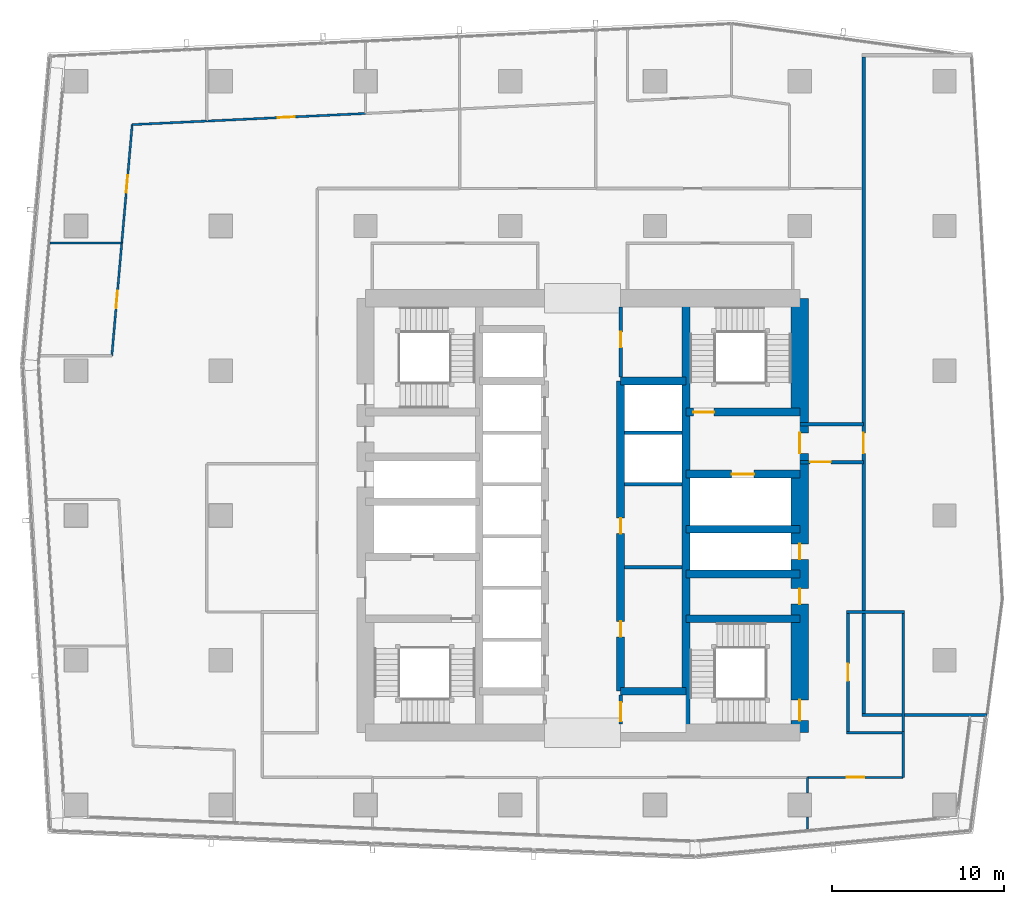
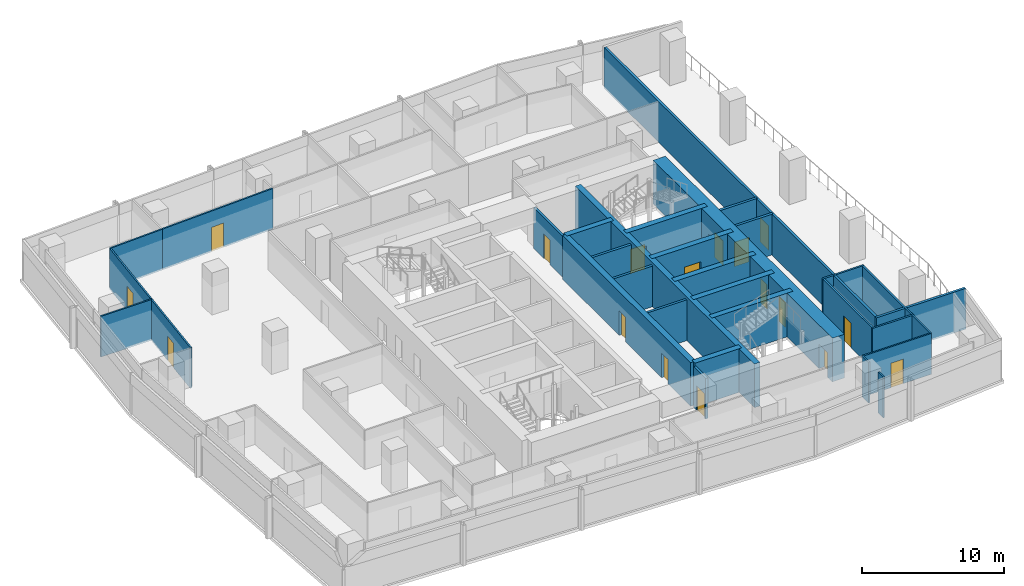
# One storey, part 24 of 33: 32 walls, 17 doors, 17 openings.
"""IFC4 building model written with IfcOpenShell, lengths in metres."""

from ifc_helpers import new_model, si_unit, direction, frame, frame_2d, origin, place, context, subcontext, project, spatial, rectangle, extrude, material, layer, layer_set, type_object, element, fill, save


model = new_model("IFC4")

# Units and contexts
model_context = context("Model", 3, precision=1e-05, world=origin(), true_north=direction((0.0, 1.0)))
body_context = subcontext(model_context, "Body", "Model", "MODEL_VIEW")
ifc_project = project(units=[si_unit("LENGTHUNIT", "METRE"), si_unit("AREAUNIT", "SQUARE_METRE"), si_unit("VOLUMEUNIT", "CUBIC_METRE"), si_unit("PLANEANGLEUNIT", "RADIAN"), si_unit("MASSUNIT", "GRAM", prefix="KILO")], contexts=[model_context])

# Site, building, storey
site_placement = place(None, origin())
site = spatial("IfcSite", under=ifc_project, at=site_placement, CompositionType="ELEMENT")
building_placement = place(site_placement, origin())
building = spatial("IfcBuilding", under=site, at=building_placement, Name="Rekha Terrace Tower", CompositionType="ELEMENT")
storey_placement = place(building_placement, frame((0.0, 0.0, 206.449951171875)))
storey = spatial("IfcBuildingStorey", under=building, at=storey_placement, Name="L52", CompositionType="ELEMENT", Elevation=206.449951171875)

# Wall
ifc_material_1 = material(Name="Concrete M60", Category="concrete")
ifc_layer_1 = layer(ifc_material_1, 0.449951171875)
ifc_layer_set_1 = layer_set([ifc_layer_1], Name="Concrete M60")
wall_type_1 = type_object("IfcWallType", Name="CI3 450 core internal shear wall", PredefinedType="SHEAR", material=ifc_layer_set_1)
wall_1_placement = place(storey_placement, frame((43.800048828125, 21.0, 0.0), z_axis=(0.0, 0.0, 1.0), x_axis=(0.0, 1.0, 0.0)))
element("IfcWall", 1, at=wall_1_placement, inside=storey, type_object=wall_type_1, Name="Core wall X438 L52", PredefinedType="SHEAR", context=body_context, shape_type="SweptSolid", body=[
    extrude(rectangle(XDim=25.199951171875, YDim=0.449951171875, at=frame_2d((12.60009765625, 0.0))), origin(), (0.0, 0.0, 1.0), 3.75),
])

# Wall, openings, doors
wall_2_placement = place(storey_placement, frame((40.0, 23.39990234375, 0.0), z_axis=(0.0, 0.0, 1.0), x_axis=(0.0, 1.0, 0.0)))
wall_2 = element("IfcWall", 2, at=wall_2_placement, inside=storey, type_object=wall_type_1, Name="Core wall X400 L52", PredefinedType="SHEAR", context=body_context, shape_type="SweptSolid", body=[
    extrude(rectangle(XDim=18.0, YDim=0.449951171875, at=frame_2d((9.0, 0.0))), origin(), (0.0, 0.0, 1.0), 3.75),
])
opening_1_placement = place(wall_2_placement, frame((3.14990234375, 0.0, 0.0)))
opening_1 = element("IfcOpeningElement", 3, at=opening_1_placement, cuts=wall_2, Name="Opening D5", PredefinedType="OPENING", context=body_context, shape_type="SweptSolid", body=[
    extrude(rectangle(XDim=0.89990234375, YDim=2.10009765625, at=frame_2d((0.449951171875, 1.050048828125))), frame((0.0, 0.23486328125, 0.0), z_axis=(0.0, -1.0, 0.0), x_axis=(1.0, 0.0, 0.0)), (0.0, 0.0, 1.0), 0.469970703125),
])
opening_2_placement = place(wall_2_placement, frame((9.14990234375, 0.0, 0.0)))
opening_2 = element("IfcOpeningElement", 4, at=opening_2_placement, cuts=wall_2, Name="Opening D5", PredefinedType="OPENING", context=body_context, shape_type="SweptSolid", body=[
    extrude(rectangle(XDim=0.89990234375, YDim=2.10009765625, at=frame_2d((0.449951171875, 1.050048828125))), frame((0.0, 0.23486328125, 0.0), z_axis=(0.0, -1.0, 0.0), x_axis=(1.0, 0.0, 0.0)), (0.0, 0.0, 1.0), 0.469970703125),
])
ifc_material_2 = material(Name="Steel fire door", Category="steel")
door_type_1 = type_object("IfcDoorType", Name="D5 900x2100 riser access door", OperationType="SINGLE_SWING_LEFT", PredefinedType="DOOR", material=ifc_material_2)
door_1_placement = place(opening_1_placement, origin())
door_1 = element("IfcDoor", 5, at=door_1_placement, inside=storey, type_object=door_type_1, Name="Door back-of-house store L52", OperationType="SINGLE_SWING_LEFT", OverallHeight=2.10009765625, OverallWidth=0.89990234375, PredefinedType="DOOR", context=body_context, shape_type="SweptSolid", body=[
    extrude(rectangle(XDim=0.89990234375, YDim=2.10009765625, at=frame_2d((0.449951171875, 1.050048828125))), frame((0.0, 0.02490234375, 0.0), z_axis=(0.0, -1.0, 0.0), x_axis=(1.0, 0.0, 0.0)), (0.0, 0.0, 1.0), 0.050048828125),
])
fill(opening_1, door_1)
door_2_placement = place(opening_2_placement, origin())
door_2 = element("IfcDoor", 6, at=door_2_placement, inside=storey, type_object=door_type_1, Name="Door records store L52", OperationType="SINGLE_SWING_LEFT", OverallHeight=2.10009765625, OverallWidth=0.89990234375, PredefinedType="DOOR", context=body_context, shape_type="SweptSolid", body=[
    extrude(rectangle(XDim=0.89990234375, YDim=2.10009765625, at=frame_2d((0.449951171875, 1.050048828125))), frame((0.0, 0.02490234375, 0.0), z_axis=(0.0, -1.0, 0.0), x_axis=(1.0, 0.0, 0.0)), (0.0, 0.0, 1.0), 0.050048828125),
])
fill(opening_2, door_2)

# Walls
for number, where, z_axis, x_axis, name in (
    (7, (40.0, 23.39990234375, 0.0), (0.0, 0.0, 1.0), (1.0, 0.0, 0.0), "Core wall Y234E L52"),
    (8, (40.0, 41.39990234375, 0.0), (0.0, 0.0, 1.0), (1.0, 0.0, 0.0), "Core wall Y414E L52"),
):
    element("IfcWall", number, at=place(storey_placement, frame(where, z_axis=z_axis, x_axis=x_axis)), inside=storey, type_object=wall_type_1, Name=name, PredefinedType="SHEAR", context=body_context, shape_type="SweptSolid", body=[
        extrude(rectangle(XDim=3.800048828125, YDim=0.449951171875, at=frame_2d((1.89990234375, 0.0))), origin(), (0.0, 0.0, 1.0), 3.75),
    ])
for number, where, z_axis, x_axis, name in (
    (9, (43.800048828125, 27.60009765625, 0.0), (0.0, 0.0, 1.0), (1.0, 0.0, 0.0), "Core wall Y276E L52"),
    (10, (43.800048828125, 30.199951171875, 0.0), (0.0, 0.0, 1.0), (1.0, 0.0, 0.0), "Core wall Y302E L52"),
    (11, (43.800048828125, 32.800048828125, 0.0), (0.0, 0.0, 1.0), (1.0, 0.0, 0.0), "Core wall Y328E L52"),
):
    element("IfcWall", number, at=place(storey_placement, frame(where, z_axis=z_axis, x_axis=x_axis)), inside=storey, type_object=wall_type_1, Name=name, PredefinedType="SHEAR", context=body_context, shape_type="SweptSolid", body=[
        extrude(rectangle(XDim=6.599853515625, YDim=0.449951171875, at=frame_2d((3.2998046875, 0.0))), origin(), (0.0, 0.0, 1.0), 3.75),
    ])

# Wall, opening, door
wall_3_placement = place(storey_placement, frame((43.800048828125, 36.0, 0.0), z_axis=(0.0, 0.0, 1.0), x_axis=(1.0, 0.0, 0.0)))
wall_3 = element("IfcWall", 12, at=wall_3_placement, inside=storey, type_object=wall_type_1, Name="Core wall Y360E L52", PredefinedType="SHEAR", context=body_context, shape_type="SweptSolid", body=[
    extrude(rectangle(XDim=6.599853515625, YDim=0.449951171875, at=frame_2d((3.2998046875, 0.0))), origin(), (0.0, 0.0, 1.0), 3.75),
])
opening_3_placement = place(wall_3_placement, frame((2.64990234375, 0.0, 0.0)))
opening_3 = element("IfcOpeningElement", 13, at=opening_3_placement, cuts=wall_3, Name="Opening LD2", PredefinedType="OPENING", context=body_context, shape_type="SweptSolid", body=[
    extrude(rectangle(XDim=1.300048828125, YDim=2.10009765625, at=frame_2d((0.64990234375, 1.050048828125))), frame((0.0, 0.23486328125, 0.0), z_axis=(0.0, -1.0, 0.0), x_axis=(1.0, 0.0, 0.0)), (0.0, 0.0, 1.0), 0.469970703125),
])
ifc_material_3 = material(Name="Stainless steel sliding landing door", Category="steel")
door_type_2 = type_object("IfcDoorType", Name="LD2 1300x2100 fire lift landing door", OperationType="SLIDING_TO_LEFT", PredefinedType="USERDEFINED", material=ifc_material_3)
door_3_placement = place(opening_3_placement, origin())
door_3 = element("IfcDoor", 14, at=door_3_placement, inside=storey, type_object=door_type_2, Name="Lift FL2 landing door L52", ObjectType="LIFT LANDING DOOR", OperationType="SLIDING_TO_LEFT", OverallHeight=2.10009765625, OverallWidth=1.300048828125, PredefinedType="USERDEFINED", context=body_context, shape_type="SweptSolid", body=[
    extrude(rectangle(XDim=1.300048828125, YDim=2.10009765625, at=frame_2d((0.64990234375, 1.050048828125))), frame((0.0, 0.02490234375, 0.0), z_axis=(0.0, -1.0, 0.0), x_axis=(1.0, 0.0, 0.0)), (0.0, 0.0, 1.0), 0.050048828125),
])
fill(opening_3, door_3)

wall_4_placement = place(storey_placement, frame((43.800048828125, 39.60009765625, 0.0), z_axis=(0.0, 0.0, 1.0), x_axis=(1.0, 0.0, 0.0)))
wall_4 = element("IfcWall", 15, at=wall_4_placement, inside=storey, type_object=wall_type_1, Name="Core wall Y396E L52", PredefinedType="SHEAR", context=body_context, shape_type="SweptSolid", body=[
    extrude(rectangle(XDim=6.599853515625, YDim=0.449951171875, at=frame_2d((3.2998046875, 0.0))), origin(), (0.0, 0.0, 1.0), 3.75),
])
opening_4_placement = place(wall_4_placement, frame((0.425048828125, 0.0, 0.0)))
opening_4 = element("IfcOpeningElement", 16, at=opening_4_placement, cuts=wall_4, Name="Opening D1", PredefinedType="OPENING", context=body_context, shape_type="SweptSolid", body=[
    extrude(rectangle(XDim=1.199951171875, YDim=2.10009765625, at=frame_2d((0.60009765625, 1.050048828125))), frame((0.0, 0.23486328125, 0.0), z_axis=(0.0, -1.0, 0.0), x_axis=(1.0, 0.0, 0.0)), (0.0, 0.0, 1.0), 0.469970703125),
])
door_type_3 = type_object("IfcDoorType", Name="D1 1200x2100 stair fire door", OperationType="SINGLE_SWING_RIGHT", PredefinedType="DOOR", material=ifc_material_2)
door_4_placement = place(opening_4_placement, origin())
door_4 = element("IfcDoor", 17, at=door_4_placement, inside=storey, type_object=door_type_3, Name="Stair ST2 door L52", OperationType="SINGLE_SWING_RIGHT", OverallHeight=2.10009765625, OverallWidth=1.199951171875, PredefinedType="DOOR", context=body_context, shape_type="SweptSolid", body=[
    extrude(rectangle(XDim=1.199951171875, YDim=2.10009765625, at=frame_2d((0.60009765625, 1.050048828125))), frame((0.0, 0.02490234375, 0.0), z_axis=(0.0, -1.0, 0.0), x_axis=(1.0, 0.0, 0.0)), (0.0, 0.0, 1.0), 0.050048828125),
])
fill(opening_4, door_4)

# Wall, openings, doors
ifc_layer_2 = layer(ifc_material_1, 1.0)
ifc_layer_set_2 = layer_set([ifc_layer_2], Name="Concrete M60")
wall_type_2 = type_object("IfcWallType", Name="SW3 1000 core outer shear wall", PredefinedType="SHEAR", material=ifc_layer_set_2)
wall_5_placement = place(storey_placement, frame((50.39990234375, 21.0, 0.0), z_axis=(0.0, 0.0, 1.0), x_axis=(0.0, 1.0, 0.0)))
wall_5 = element("IfcWall", 18, at=wall_5_placement, inside=storey, type_object=wall_type_2, Name="Core wall E L52", PredefinedType="SHEAR", context=body_context, shape_type="SweptSolid", body=[
    extrude(rectangle(XDim=25.199951171875, YDim=1.0, at=frame_2d((12.60009765625, 0.0))), origin(), (0.0, 0.0, 1.0), 3.75),
])
opening_5_placement = place(wall_5_placement, frame((16.199951171875, 0.0, 0.0)))
opening_5 = element("IfcOpeningElement", 19, at=opening_5_placement, cuts=wall_5, Name="Opening D2", PredefinedType="OPENING", context=body_context, shape_type="SweptSolid", body=[
    extrude(rectangle(XDim=1.199951171875, YDim=2.10009765625, at=frame_2d((0.60009765625, 1.050048828125))), frame((0.0, 0.510009765625, 0.0), z_axis=(0.0, -1.0, 0.0), x_axis=(1.0, 0.0, 0.0)), (0.0, 0.0, 1.0), 1.02001953125),
])
opening_6_placement = place(wall_5_placement, frame((10.050048828125, 0.0, 0.0)))
opening_6 = element("IfcOpeningElement", 20, at=opening_6_placement, cuts=wall_5, Name="Opening D5", PredefinedType="OPENING", context=body_context, shape_type="SweptSolid", body=[
    extrude(rectangle(XDim=0.89990234375, YDim=2.10009765625, at=frame_2d((0.449951171875, 1.050048828125))), frame((0.0, 0.510009765625, 0.0), z_axis=(0.0, -1.0, 0.0), x_axis=(1.0, 0.0, 0.0)), (0.0, 0.0, 1.0), 1.02001953125),
])
opening_7_placement = place(wall_5_placement, frame((7.449951171875, 0.0, 0.0)))
opening_7 = element("IfcOpeningElement", 21, at=opening_7_placement, cuts=wall_5, Name="Opening D5", PredefinedType="OPENING", context=body_context, shape_type="SweptSolid", body=[
    extrude(rectangle(XDim=0.89990234375, YDim=2.10009765625, at=frame_2d((0.449951171875, 1.050048828125))), frame((0.0, 0.510009765625, 0.0), z_axis=(0.0, -1.0, 0.0), x_axis=(1.0, 0.0, 0.0)), (0.0, 0.0, 1.0), 1.02001953125),
])
opening_8_placement = place(wall_5_placement, frame((0.699951171875, 0.0, 0.0)))
opening_8 = element("IfcOpeningElement", 22, at=opening_8_placement, cuts=wall_5, Name="Opening D1", PredefinedType="OPENING", context=body_context, shape_type="SweptSolid", body=[
    extrude(rectangle(XDim=1.199951171875, YDim=2.10009765625, at=frame_2d((0.60009765625, 1.050048828125))), frame((0.0, 0.510009765625, 0.0), z_axis=(0.0, -1.0, 0.0), x_axis=(1.0, 0.0, 0.0)), (0.0, 0.0, 1.0), 1.02001953125),
])
door_5_placement = place(opening_8_placement, origin())
door_5 = element("IfcDoor", 23, at=door_5_placement, inside=storey, type_object=door_type_3, Name="Stair ST3 door L52", OperationType="SINGLE_SWING_RIGHT", OverallHeight=2.10009765625, OverallWidth=1.199951171875, PredefinedType="DOOR", context=body_context, shape_type="SweptSolid", body=[
    extrude(rectangle(XDim=1.199951171875, YDim=2.10009765625, at=frame_2d((0.60009765625, 1.050048828125))), frame((0.0, 0.02490234375, 0.0), z_axis=(0.0, -1.0, 0.0), x_axis=(1.0, 0.0, 0.0)), (0.0, 0.0, 1.0), 0.050048828125),
])
fill(opening_8, door_5)
door_type_4 = type_object("IfcDoorType", Name="D2 1200x2100 firefighting lobby door", OperationType="SINGLE_SWING_LEFT", PredefinedType="DOOR", material=ifc_material_2)
door_6_placement = place(opening_5_placement, origin())
door_6 = element("IfcDoor", 24, at=door_6_placement, inside=storey, type_object=door_type_4, Name="Door flb2 L52", OperationType="SINGLE_SWING_LEFT", OverallHeight=2.10009765625, OverallWidth=1.199951171875, PredefinedType="DOOR", context=body_context, shape_type="SweptSolid", body=[
    extrude(rectangle(XDim=1.199951171875, YDim=2.10009765625, at=frame_2d((0.60009765625, 1.050048828125))), frame((0.0, 0.02490234375, 0.0), z_axis=(0.0, -1.0, 0.0), x_axis=(1.0, 0.0, 0.0)), (0.0, 0.0, 1.0), 0.050048828125),
])
fill(opening_5, door_6)
door_7_placement = place(opening_6_placement, origin())
door_7 = element("IfcDoor", 25, at=door_7_placement, inside=storey, type_object=door_type_1, Name="Door rs2 L52", OperationType="SINGLE_SWING_LEFT", OverallHeight=2.10009765625, OverallWidth=0.89990234375, PredefinedType="DOOR", context=body_context, shape_type="SweptSolid", body=[
    extrude(rectangle(XDim=0.89990234375, YDim=2.10009765625, at=frame_2d((0.449951171875, 1.050048828125))), frame((0.0, 0.02490234375, 0.0), z_axis=(0.0, -1.0, 0.0), x_axis=(1.0, 0.0, 0.0)), (0.0, 0.0, 1.0), 0.050048828125),
])
fill(opening_6, door_7)
door_8_placement = place(opening_7_placement, origin())
door_8 = element("IfcDoor", 26, at=door_8_placement, inside=storey, type_object=door_type_1, Name="Door ele L52", OperationType="SINGLE_SWING_LEFT", OverallHeight=2.10009765625, OverallWidth=0.89990234375, PredefinedType="DOOR", context=body_context, shape_type="SweptSolid", body=[
    extrude(rectangle(XDim=0.89990234375, YDim=2.10009765625, at=frame_2d((0.449951171875, 1.050048828125))), frame((0.0, 0.02490234375, 0.0), z_axis=(0.0, -1.0, 0.0), x_axis=(1.0, 0.0, 0.0)), (0.0, 0.0, 1.0), 0.050048828125),
])
fill(opening_7, door_8)

# Walls
ifc_material_4 = material(Name="Concrete block masonry, 1 hour", Category="masonry")
ifc_layer_3 = layer(ifc_material_4, 0.14990234375)
ifc_layer_set_3 = layer_set([ifc_layer_3], Name="Concrete block masonry, 1 hour")
wall_type_3 = type_object("IfcWallType", Name="WP2 150 tenancy partition", PredefinedType="PARTITIONING", material=ifc_layer_set_3)
for number, where, z_axis, x_axis, name in (
    (27, (53.125, 21.0, 0.0), (0.0, 0.0, 1.0), (1.0, 0.0, 0.0), "Men's WC wall L52"),
    (28, (53.125, 28.0, 0.0), (0.0, 0.0, 1.0), (1.0, 0.0, 0.0), "Men's WC wall L52"),
):
    element("IfcWall", number, at=place(storey_placement, frame(where, z_axis=z_axis, x_axis=x_axis)), inside=storey, type_object=wall_type_3, Name=name, PredefinedType="PARTITIONING", context=body_context, shape_type="SweptSolid", body=[
        extrude(rectangle(XDim=3.35009765625, YDim=0.14990234375, at=frame_2d((1.675048828125, 0.0))), origin(), (0.0, 0.0, 1.0), 3.5),
    ])

# Wall, opening, door
wall_6_placement = place(storey_placement, frame((53.199951171875, 21.074951171875, 0.0), z_axis=(0.0, 0.0, 1.0), x_axis=(0.0, 1.0, 0.0)))
wall_6 = element("IfcWall", 29, at=wall_6_placement, inside=storey, type_object=wall_type_3, Name="Men's WC wall L52", PredefinedType="PARTITIONING", context=body_context, shape_type="SweptSolid", body=[
    extrude(rectangle(XDim=6.85009765625, YDim=0.14990234375, at=frame_2d((3.425048828125, 0.0))), origin(), (0.0, 0.0, 1.0), 3.5),
])
opening_9_placement = place(wall_6_placement, frame((2.925048828125, 0.0, 0.0)))
opening_9 = element("IfcOpeningElement", 30, at=opening_9_placement, cuts=wall_6, Name="Opening D3", PredefinedType="OPENING", context=body_context, shape_type="SweptSolid", body=[
    extrude(rectangle(XDim=1.0, YDim=2.10009765625, at=frame_2d((0.5, 1.050048828125))), frame((0.0, 0.0849609375, 0.0), z_axis=(0.0, -1.0, 0.0), x_axis=(1.0, 0.0, 0.0)), (0.0, 0.0, 1.0), 0.169921875),
])
ifc_material_5 = material(Name="Laminated timber fire door", Category="wood")
door_type_5 = type_object("IfcDoorType", Name="D3 1000x2100 WC door", OperationType="SINGLE_SWING_LEFT", PredefinedType="DOOR", material=ifc_material_5)
door_9_placement = place(opening_9_placement, origin())
door_9 = element("IfcDoor", 31, at=door_9_placement, inside=storey, type_object=door_type_5, Name="Door men's wc L52", OperationType="SINGLE_SWING_LEFT", OverallHeight=2.10009765625, OverallWidth=1.0, PredefinedType="DOOR", context=body_context, shape_type="SweptSolid", body=[
    extrude(rectangle(XDim=1.0, YDim=2.10009765625, at=frame_2d((0.5, 1.050048828125))), frame((0.0, 0.02490234375, 0.0), z_axis=(0.0, -1.0, 0.0), x_axis=(1.0, 0.0, 0.0)), (0.0, 0.0, 1.0), 0.050048828125),
])
fill(opening_9, door_9)

# Walls
wall_7_placement = place(storey_placement, frame((56.39990234375, 21.074951171875, 0.0), z_axis=(0.0, 0.0, 1.0), x_axis=(0.0, 1.0, 0.0)))
element("IfcWall", 32, at=wall_7_placement, inside=storey, type_object=wall_type_3, Name="Men's WC wall L52", PredefinedType="PARTITIONING", context=body_context, shape_type="SweptSolid", body=[
    extrude(rectangle(XDim=6.85009765625, YDim=0.14990234375, at=frame_2d((3.425048828125, 0.0))), origin(), (0.0, 0.0, 1.0), 3.5),
])
ifc_material_6 = material(Name="Two layers of fire-rated gypsum board each side on steel studs, acoustic quilt, 1 hour", Category="steel")
ifc_layer_4 = layer(ifc_material_6, 0.125)
ifc_layer_set_4 = layer_set([ifc_layer_4], Name="Two layers of fire-rated gypsum board each side on steel studs, acoustic quilt, 1 hour")
wall_type_4 = type_object("IfcWallType", Name="WP3 125 office partition", PredefinedType="PARTITIONING", material=ifc_layer_set_4)
wall_8_placement = place(storey_placement, frame((50.85400390625, 15.40087890625, 0.0), z_axis=(0.0, 0.0, 1.0), x_axis=(0.0, 1.0, 0.0)))
element("IfcWall", 33, at=wall_8_placement, inside=storey, type_object=wall_type_4, Name="Partition L52-02", PredefinedType="PARTITIONING", context=body_context, shape_type="SweptSolid", body=[
    extrude(rectangle(XDim=0.7041015625, YDim=0.125, at=frame_2d((0.35205078125, 0.0))), origin(), (0.0, 0.0, 1.0), 3.5),
])
wall_9_placement = place(storey_placement, frame((50.85400390625, 17.4951171875, 0.0), z_axis=(0.0, 0.0, 1.0), x_axis=(0.0, 1.0, 0.0)))
element("IfcWall", 34, at=wall_9_placement, inside=storey, type_object=wall_type_4, Name="Partition L52-02", PredefinedType="PARTITIONING", context=body_context, shape_type="SweptSolid", body=[
    extrude(rectangle(XDim=0.90478515625, YDim=0.125, at=frame_2d((0.452392578125, 0.0))), origin(), (0.0, 0.0, 1.0), 3.5),
])

# Wall, opening, door
wall_10_placement = place(storey_placement, frame((50.85400390625, 18.39990234375, 0.0), z_axis=(0.0, 0.0, 1.0), x_axis=(1.0, 0.0, 0.0)))
wall_10 = element("IfcWall", 35, at=wall_10_placement, inside=storey, type_object=wall_type_4, Name="Partition L52-02", PredefinedType="PARTITIONING", context=body_context, shape_type="SweptSolid", body=[
    extrude(rectangle(XDim=5.5458984375, YDim=0.125, at=frame_2d((2.77294921875, 0.0))), origin(), (0.0, 0.0, 1.0), 3.5),
])
opening_10_placement = place(wall_10_placement, frame((2.27294921875, 0.0, 0.0)))
opening_10 = element("IfcOpeningElement", 36, at=opening_10_placement, cuts=wall_10, Name="Opening D9", PredefinedType="OPENING", context=body_context, shape_type="SweptSolid", body=[
    extrude(rectangle(XDim=1.0, YDim=2.10009765625, at=frame_2d((0.5, 1.050048828125))), frame((0.0, 0.072509765625, 0.0), z_axis=(0.0, -1.0, 0.0), x_axis=(1.0, 0.0, 0.0)), (0.0, 0.0, 1.0), 0.14501953125),
])
ifc_material_7 = material(Name="Timber fire door", Category="wood")
door_type_6 = type_object("IfcDoorType", Name="D9 1000x2100 office door", OperationType="SINGLE_SWING_LEFT", PredefinedType="DOOR", material=ifc_material_7)
door_10_placement = place(opening_10_placement, origin())
door_10 = element("IfcDoor", 37, at=door_10_placement, inside=storey, type_object=door_type_6, Name="Door director's office L52", OperationType="SINGLE_SWING_LEFT", OverallHeight=2.10009765625, OverallWidth=1.0, PredefinedType="DOOR", context=body_context, shape_type="SweptSolid", body=[
    extrude(rectangle(XDim=1.0, YDim=2.10009765625, at=frame_2d((0.5, 1.050048828125))), frame((0.0, 0.02490234375, 0.0), z_axis=(0.0, -1.0, 0.0), x_axis=(1.0, 0.0, 0.0)), (0.0, 0.0, 1.0), 0.050048828125),
])
fill(opening_10, door_10)

# Wall
wall_11_placement = place(storey_placement, frame((56.39990234375, 18.39990234375, 0.0), z_axis=(0.0, 0.0, 1.0), x_axis=(0.0, 1.0, 0.0)))
element("IfcWall", 38, at=wall_11_placement, inside=storey, type_object=wall_type_4, Name="Partition L52-02", PredefinedType="PARTITIONING", context=body_context, shape_type="SweptSolid", body=[
    extrude(rectangle(XDim=2.675048828125, YDim=0.125, at=frame_2d((1.33740234375, 0.0))), origin(), (0.0, 0.0, 1.0), 3.5),
])

# Wall, opening, door
wall_12_placement = place(storey_placement, frame((25.197021484375, 56.927001953125, 0.0), z_axis=(0.0, 0.0, 1.0), x_axis=(-0.99886033417, -0.047728742103, 0.0)))
wall_12 = element("IfcWall", 39, at=wall_12_placement, inside=storey, type_object=wall_type_4, Name="Partition L52-06", PredefinedType="PARTITIONING", context=body_context, shape_type="SweptSolid", body=[
    extrude(rectangle(XDim=9.217529296875, YDim=0.125, at=frame_2d((4.60888671875, 0.0))), origin(), (0.0, 0.0, 1.0), 3.5),
])
opening_11_placement = place(wall_12_placement, frame((4.10888671875, 0.0, 0.0)))
opening_11 = element("IfcOpeningElement", 40, at=opening_11_placement, cuts=wall_12, Name="Opening D9", PredefinedType="OPENING", context=body_context, shape_type="SweptSolid", body=[
    extrude(rectangle(XDim=1.0, YDim=2.10009765625, at=frame_2d((0.5, 1.050048828125))), frame((0.0, 0.072509765625, 0.0), z_axis=(0.0, -1.0, 0.0), x_axis=(1.0, 0.0, 0.0)), (0.0, 0.0, 1.0), 0.14501953125),
])
door_11_placement = place(opening_11_placement, origin())
door_11 = element("IfcDoor", 41, at=door_11_placement, inside=storey, type_object=door_type_6, Name="Door office L52", OperationType="SINGLE_SWING_LEFT", OverallHeight=2.10009765625, OverallWidth=1.0, PredefinedType="DOOR", context=body_context, shape_type="SweptSolid", body=[
    extrude(rectangle(XDim=1.0, YDim=2.10009765625, at=frame_2d((0.5, 1.050048828125))), frame((0.0, 0.02490234375, 0.0), z_axis=(0.0, -1.0, 0.0), x_axis=(1.0, 0.0, 0.0)), (0.0, 0.0, 1.0), 0.050048828125),
])
fill(opening_11, door_11)

# Walls
wall_13_placement = place(storey_placement, frame((11.054931640625, 49.402099609375, 0.0), z_axis=(0.0, 0.0, 1.0), x_axis=(-1.0, 0.0, 0.0)))
element("IfcWall", 42, at=wall_13_placement, inside=storey, type_object=wall_type_4, Name="Partition L52-07", PredefinedType="PARTITIONING", context=body_context, shape_type="SweptSolid", body=[
    extrude(rectangle(XDim=4.166015625, YDim=0.125, at=frame_2d((2.0830078125, 0.0))), origin(), (0.0, 0.0, 1.0), 3.5),
])
wall_14_placement = place(storey_placement, frame((15.989013671875, 56.487060546875, 0.0), z_axis=(0.0, 0.0, 1.0), x_axis=(-0.998857273451, -0.047792753365, 0.0)))
element("IfcWall", 43, at=wall_14_placement, inside=storey, type_object=wall_type_4, Name="Partition L52-07", PredefinedType="PARTITIONING", context=body_context, shape_type="SweptSolid", body=[
    extrude(rectangle(XDim=4.331787109375, YDim=0.125, at=frame_2d((2.166015625, 0.0))), origin(), (0.0, 0.0, 1.0), 3.5),
])

# Wall, opening, door
wall_15_placement = place(storey_placement, frame((11.662109375, 56.280029296875, 0.0), z_axis=(0.0, 0.0, 1.0), x_axis=(-0.087937151209, -0.996126024877, 0.0)))
wall_15 = element("IfcWall", 44, at=wall_15_placement, inside=storey, type_object=wall_type_4, Name="Partition L52-07", PredefinedType="PARTITIONING", context=body_context, shape_type="SweptSolid", body=[
    extrude(rectangle(XDim=6.90478515625, YDim=0.125, at=frame_2d((3.452392578125, 0.0))), origin(), (0.0, 0.0, 1.0), 3.5),
])
opening_12_placement = place(wall_15_placement, frame((2.951904296875, 0.0, 0.0)))
opening_12 = element("IfcOpeningElement", 45, at=opening_12_placement, cuts=wall_15, Name="Opening D9", PredefinedType="OPENING", context=body_context, shape_type="SweptSolid", body=[
    extrude(rectangle(XDim=1.0, YDim=2.10009765625, at=frame_2d((0.5, 1.050048828125))), frame((0.0, 0.072509765625, 0.0), z_axis=(0.0, -1.0, 0.0), x_axis=(1.0, 0.0, 0.0)), (0.0, 0.0, 1.0), 0.14501953125),
])
door_12_placement = place(opening_12_placement, origin())
door_12 = element("IfcDoor", 46, at=door_12_placement, inside=storey, type_object=door_type_6, Name="Door director's office L52", OperationType="SINGLE_SWING_LEFT", OverallHeight=2.10009765625, OverallWidth=1.0, PredefinedType="DOOR", context=body_context, shape_type="SweptSolid", body=[
    extrude(rectangle(XDim=1.0, YDim=2.10009765625, at=frame_2d((0.5, 1.050048828125))), frame((0.0, 0.02490234375, 0.0), z_axis=(0.0, -1.0, 0.0), x_axis=(1.0, 0.0, 0.0)), (0.0, 0.0, 1.0), 0.050048828125),
])
fill(opening_12, door_12)

wall_16_placement = place(storey_placement, frame((11.054931640625, 49.40087890625, 0.0), z_axis=(0.0, 0.0, 1.0), x_axis=(-0.087859027692, -0.996132918467, 0.0)))
wall_16 = element("IfcWall", 47, at=wall_16_placement, inside=storey, type_object=wall_type_4, Name="Partition L52-08", PredefinedType="PARTITIONING", context=body_context, shape_type="SweptSolid", body=[
    extrude(rectangle(XDim=6.55517578125, YDim=0.125, at=frame_2d((3.277587890625, 0.0))), origin(), (0.0, 0.0, 1.0), 3.5),
])
opening_13_placement = place(wall_16_placement, frame((2.778076171875, 0.0, 0.0)))
opening_13 = element("IfcOpeningElement", 48, at=opening_13_placement, cuts=wall_16, Name="Opening D9", PredefinedType="OPENING", context=body_context, shape_type="SweptSolid", body=[
    extrude(rectangle(XDim=1.0, YDim=2.10009765625, at=frame_2d((0.5, 1.050048828125))), frame((0.0, 0.072509765625, 0.0), z_axis=(0.0, -1.0, 0.0), x_axis=(1.0, 0.0, 0.0)), (0.0, 0.0, 1.0), 0.14501953125),
])
door_13_placement = place(opening_13_placement, origin())
door_13 = element("IfcDoor", 49, at=door_13_placement, inside=storey, type_object=door_type_6, Name="Door wellness room L52", OperationType="SINGLE_SWING_LEFT", OverallHeight=2.10009765625, OverallWidth=1.0, PredefinedType="DOOR", context=body_context, shape_type="SweptSolid", body=[
    extrude(rectangle(XDim=1.0, YDim=2.10009765625, at=frame_2d((0.5, 1.050048828125))), frame((0.0, 0.02490234375, 0.0), z_axis=(0.0, -1.0, 0.0), x_axis=(1.0, 0.0, 0.0)), (0.0, 0.0, 1.0), 0.050048828125),
])
fill(opening_13, door_13)

# Walls
ifc_material_8 = material(Name="Solid concrete block masonry, 2 hour", Category="masonry")
ifc_layer_5 = layer(ifc_material_8, 0.199951171875)
ifc_layer_set_5 = layer_set([ifc_layer_5], Name="Solid concrete block masonry, 2 hour")
wall_type_5 = type_object("IfcWallType", Name="WS1 200 stair and shaft enclosure", PredefinedType="PARTITIONING", material=ifc_layer_set_5)
for number, where, z_axis, x_axis, name in (
    (50, (40.22509765625, 35.39990234375, 0.0), (0.0, 0.0, 1.0), (1.0, 0.0, 0.0), "Lift shaft divider L52"),
    (51, (40.22509765625, 38.39990234375, 0.0), (0.0, 0.0, 1.0), (1.0, 0.0, 0.0), "Lift shaft divider L52"),
):
    element("IfcWall", number, at=place(storey_placement, frame(where, z_axis=z_axis, x_axis=x_axis)), inside=storey, type_object=wall_type_5, Name=name, PredefinedType="PARTITIONING", context=body_context, shape_type="SweptSolid", body=[
        extrude(rectangle(XDim=3.349853515625, YDim=0.199951171875, at=frame_2d((1.6748046875, 0.0))), origin(), (0.0, 0.0, 1.0), 3.5),
    ])

# Wall, opening, door
wall_17_placement = place(storey_placement, frame((40.0, 21.5, 0.0), z_axis=(0.0, 0.0, 1.0), x_axis=(0.0, 1.0, 0.0)))
wall_17 = element("IfcWall", 52, at=wall_17_placement, inside=storey, type_object=wall_type_5, Name="Core partition wca L52", PredefinedType="PARTITIONING", context=body_context, shape_type="SweptSolid", body=[
    extrude(rectangle(XDim=1.675048828125, YDim=0.199951171875, at=frame_2d((0.83740234375, 0.0))), origin(), (0.0, 0.0, 1.0), 3.5),
])
opening_14_placement = place(wall_17_placement, frame((0.14990234375, 0.0, 0.0)))
opening_14 = element("IfcOpeningElement", 53, at=opening_14_placement, cuts=wall_17, Name="Opening D4", PredefinedType="OPENING", context=body_context, shape_type="SweptSolid", body=[
    extrude(rectangle(XDim=1.10009765625, YDim=2.10009765625, at=frame_2d((0.550048828125, 1.050048828125))), frame((0.0, 0.10986328125, 0.0), z_axis=(0.0, -1.0, 0.0), x_axis=(1.0, 0.0, 0.0)), (0.0, 0.0, 1.0), 0.219970703125),
])
door_type_7 = type_object("IfcDoorType", Name="D4 1100x2100 accessible WC door", OperationType="SLIDING_TO_LEFT", PredefinedType="DOOR", material=ifc_material_5)
door_14_placement = place(opening_14_placement, origin())
door_14 = element("IfcDoor", 54, at=door_14_placement, inside=storey, type_object=door_type_7, Name="Door wca L52", OperationType="SLIDING_TO_LEFT", OverallHeight=2.10009765625, OverallWidth=1.10009765625, PredefinedType="DOOR", context=body_context, shape_type="SweptSolid", body=[
    extrude(rectangle(XDim=1.10009765625, YDim=2.10009765625, at=frame_2d((0.550048828125, 1.050048828125))), frame((0.0, 0.02490234375, 0.0), z_axis=(0.0, -1.0, 0.0), x_axis=(1.0, 0.0, 0.0)), (0.0, 0.0, 1.0), 0.050048828125),
])
fill(opening_14, door_14)

wall_18_placement = place(storey_placement, frame((40.0, 41.625, 0.0), z_axis=(0.0, 0.0, 1.0), x_axis=(0.0, 1.0, 0.0)))
wall_18 = element("IfcWall", 55, at=wall_18_placement, inside=storey, type_object=wall_type_5, Name="Core partition elec L52", PredefinedType="PARTITIONING", context=body_context, shape_type="SweptSolid", body=[
    extrude(rectangle(XDim=4.074951171875, YDim=0.199951171875, at=frame_2d((2.03759765625, 0.0))), origin(), (0.0, 0.0, 1.0), 3.5),
])
opening_15_placement = place(wall_18_placement, frame((1.72509765625, 0.0, 0.0)))
opening_15 = element("IfcOpeningElement", 56, at=opening_15_placement, cuts=wall_18, Name="Opening D5", PredefinedType="OPENING", context=body_context, shape_type="SweptSolid", body=[
    extrude(rectangle(XDim=0.89990234375, YDim=2.10009765625, at=frame_2d((0.449951171875, 1.050048828125))), frame((0.0, 0.10986328125, 0.0), z_axis=(0.0, -1.0, 0.0), x_axis=(1.0, 0.0, 0.0)), (0.0, 0.0, 1.0), 0.219970703125),
])
door_15_placement = place(opening_15_placement, origin())
door_15 = element("IfcDoor", 57, at=door_15_placement, inside=storey, type_object=door_type_1, Name="Door electrical room L52", OperationType="SINGLE_SWING_LEFT", OverallHeight=2.10009765625, OverallWidth=0.89990234375, PredefinedType="DOOR", context=body_context, shape_type="SweptSolid", body=[
    extrude(rectangle(XDim=0.89990234375, YDim=2.10009765625, at=frame_2d((0.449951171875, 1.050048828125))), frame((0.0, 0.02490234375, 0.0), z_axis=(0.0, -1.0, 0.0), x_axis=(1.0, 0.0, 0.0)), (0.0, 0.0, 1.0), 0.050048828125),
])
fill(opening_15, door_15)

# Wall
wall_19_placement = place(storey_placement, frame((40.22509765625, 30.60009765625, 0.0), z_axis=(0.0, 0.0, 1.0), x_axis=(1.0, 0.0, 0.0)))
element("IfcWall", 58, at=wall_19_placement, inside=storey, type_object=wall_type_5, Name="Core partition freed shafts L52", PredefinedType="PARTITIONING", context=body_context, shape_type="SweptSolid", body=[
    extrude(rectangle(XDim=3.349853515625, YDim=0.199951171875, at=frame_2d((1.6748046875, 0.0))), origin(), (0.0, 0.0, 1.0), 3.5),
])

# Wall, opening, door
wall_20_placement = place(storey_placement, frame((54.10009765625, 22.1220703125, 0.0), z_axis=(0.0, 0.0, 1.0), x_axis=(0.0, 1.0, 0.0)))
wall_20 = element("IfcWall", 59, at=wall_20_placement, inside=storey, type_object=wall_type_5, Name="Refuge area inner wall L52", PredefinedType="PARTITIONING", context=body_context, shape_type="SweptSolid", body=[
    extrude(rectangle(XDim=38.0869140625, YDim=0.199951171875, at=frame_2d((19.04345703125, 0.0))), origin(), (0.0, 0.0, 1.0), 3.5),
])
opening_16_placement = place(wall_20_placement, frame((15.077880859375, 0.0, 0.0)))
opening_16 = element("IfcOpeningElement", 60, at=opening_16_placement, cuts=wall_20, Name="Opening D2", PredefinedType="OPENING", context=body_context, shape_type="SweptSolid", body=[
    extrude(rectangle(XDim=1.199951171875, YDim=2.10009765625, at=frame_2d((0.60009765625, 1.050048828125))), frame((0.0, 0.10986328125, 0.0), z_axis=(0.0, -1.0, 0.0), x_axis=(1.0, 0.0, 0.0)), (0.0, 0.0, 1.0), 0.219970703125),
])
door_16_placement = place(opening_16_placement, origin())
door_16 = element("IfcDoor", 61, at=door_16_placement, inside=storey, type_object=door_type_4, Name="Refuge area door L52", OperationType="SINGLE_SWING_LEFT", OverallHeight=2.10009765625, OverallWidth=1.199951171875, PredefinedType="DOOR", context=body_context, shape_type="SweptSolid", body=[
    extrude(rectangle(XDim=1.199951171875, YDim=2.10009765625, at=frame_2d((0.60009765625, 1.050048828125))), frame((0.0, 0.02490234375, 0.0), z_axis=(0.0, -1.0, 0.0), x_axis=(1.0, 0.0, 0.0)), (0.0, 0.0, 1.0), 0.050048828125),
])
fill(opening_16, door_16)

# Walls
wall_21_placement = place(storey_placement, frame((54.0, 22.02197265625, 0.0), z_axis=(0.0, 0.0, 1.0), x_axis=(1.0, 0.0, 0.0)))
element("IfcWall", 62, at=wall_21_placement, inside=storey, type_object=wall_type_5, Name="Refuge area south wall L52", PredefinedType="PARTITIONING", context=body_context, shape_type="SweptSolid", body=[
    extrude(rectangle(XDim=7.260009765625, YDim=0.199951171875, at=frame_2d((3.6298828125, 0.0))), origin(), (0.0, 0.0, 1.0), 3.5),
])
wall_22_placement = place(storey_placement, frame((50.39990234375, 38.89990234375, 0.0), z_axis=(0.0, 0.0, 1.0), x_axis=(1.0, 0.0, 0.0)))
element("IfcWall", 63, at=wall_22_placement, inside=storey, type_object=wall_type_5, Name="Refuge corridor north wall L52", PredefinedType="PARTITIONING", context=body_context, shape_type="SweptSolid", body=[
    extrude(rectangle(XDim=3.7001953125, YDim=0.199951171875, at=frame_2d((1.85009765625, 0.0))), origin(), (0.0, 0.0, 1.0), 3.5),
])

# Wall, opening, door
wall_23_placement = place(storey_placement, frame((50.39990234375, 36.699951171875, 0.0), z_axis=(0.0, 0.0, 1.0), x_axis=(1.0, 0.0, 0.0)))
wall_23 = element("IfcWall", 64, at=wall_23_placement, inside=storey, type_object=wall_type_5, Name="Refuge corridor south wall L52", PredefinedType="PARTITIONING", context=body_context, shape_type="SweptSolid", body=[
    extrude(rectangle(XDim=3.7001953125, YDim=0.199951171875, at=frame_2d((1.85009765625, 0.0))), origin(), (0.0, 0.0, 1.0), 3.5),
])
opening_17_placement = place(wall_23_placement, frame((0.60009765625, 0.0, 0.0)))
opening_17 = element("IfcOpeningElement", 65, at=opening_17_placement, cuts=wall_23, Name="Opening D2", PredefinedType="OPENING", context=body_context, shape_type="SweptSolid", body=[
    extrude(rectangle(XDim=1.199951171875, YDim=2.10009765625, at=frame_2d((0.60009765625, 1.050048828125))), frame((0.0, 0.10986328125, 0.0), z_axis=(0.0, -1.0, 0.0), x_axis=(1.0, 0.0, 0.0)), (0.0, 0.0, 1.0), 0.219970703125),
])
door_17_placement = place(opening_17_placement, origin())
door_17 = element("IfcDoor", 66, at=door_17_placement, inside=storey, type_object=door_type_4, Name="Refuge corridor door L52", OperationType="SINGLE_SWING_LEFT", OverallHeight=2.10009765625, OverallWidth=1.199951171875, PredefinedType="DOOR", context=body_context, shape_type="SweptSolid", body=[
    extrude(rectangle(XDim=1.199951171875, YDim=2.10009765625, at=frame_2d((0.60009765625, 1.050048828125))), frame((0.0, 0.02490234375, 0.0), z_axis=(0.0, -1.0, 0.0), x_axis=(1.0, 0.0, 0.0)), (0.0, 0.0, 1.0), 0.050048828125),
])
fill(opening_17, door_17)

save(model, "model.ifc")
